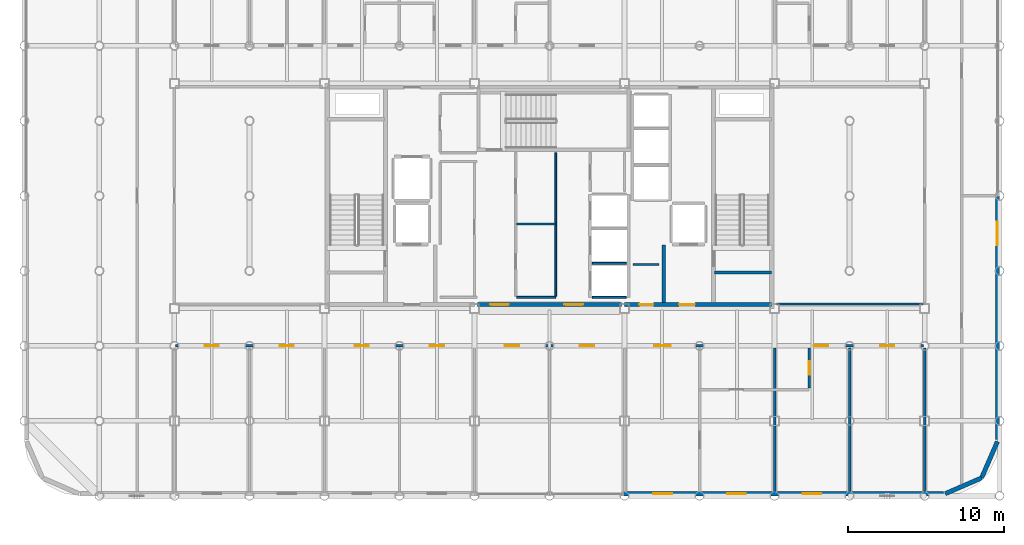
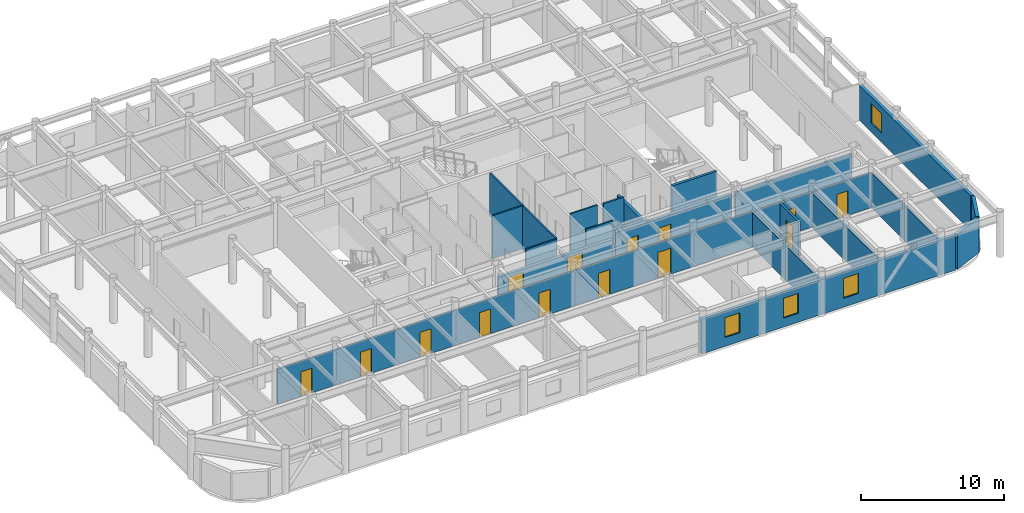
# One storey, part 19 of 22: 20 walls, 14 doors, 4 windows, 18 openings.
"""IFC4 building model written with IfcOpenShell, lengths in metres."""

import ifcopenshell
import ifcopenshell.guid

model = None  # the IFC model being written
_history = None  # IfcOwnerHistory: only IFC2X3 demands one
_inside = {}  # id of a spatial element -> (the spatial element, [elements in it])
_under = {}  # id of a project, library or spatial element -> (it, [spatial elements below it])
_declared = {}  # id of a project -> (the project, [libraries it declares])
_typed = {}  # id of a type object -> (the type object, [elements of that type])
_made_of = {}  # id of a material, layer set ... -> (it, [elements and type objects made of it])


def new_model(schema):
    """Start an empty IFC model of exactly this schema.

    Asked for "IFC4X3", IfcOpenShell would pick the latest addendum, in which some entities
    have other attributes; the version numbers below select the first issue.
    IFC2X3 requires an IfcOwnerHistory on every rooted entity: one is made here for all.
    """
    global model, _history
    if schema == "IFC4X3":
        model = ifcopenshell.file(schema_version=(4, 3, 0, 0))
    else:
        model = ifcopenshell.file(schema=schema)
    _inside.clear()
    _under.clear()
    _declared.clear()
    _typed.clear()
    _made_of.clear()
    _history = None
    if model.schema == "IFC2X3":
        org = make("IfcOrganization", Name="unknown")
        user = make(
            "IfcPersonAndOrganization",
            ThePerson=make("IfcPerson", FamilyName="unknown"),
            TheOrganization=org,
        )
        app = make(
            "IfcApplication",
            ApplicationDeveloper=org,
            Version="unknown",
            ApplicationFullName="unknown",
            ApplicationIdentifier="unknown",
        )
        _history = make(
            "IfcOwnerHistory",
            OwningUser=user,
            OwningApplication=app,
            ChangeAction="ADDED",
            CreationDate=0,
        )
    return model


def make(cls, **values):
    """One entity of the class cls with the attributes given. An attribute that is None is left unset."""
    return model.create_entity(
        cls, **{name: value for name, value in values.items() if value is not None}
    )


def rooted(cls, **values):
    """An entity with a GlobalId (a new one), such as an element, a storey or a relation."""
    return make(cls, GlobalId=ifcopenshell.guid.new(), OwnerHistory=_history, **values)


def si_unit(unit_type, name, prefix=None):
    """IfcSIUnit, for example si_unit("LENGTHUNIT", "METRE", prefix="MILLI")."""
    return make("IfcSIUnit", UnitType=unit_type, Prefix=prefix, Name=name)


def assignment(units):
    """IfcUnitAssignment: the units of a project."""
    return None if units is None else make("IfcUnitAssignment", Units=units)


def point(xyz):
    """IfcCartesianPoint."""
    return None if xyz is None else make("IfcCartesianPoint", Coordinates=xyz)


def direction(xyz):
    """IfcDirection."""
    return None if xyz is None else make("IfcDirection", DirectionRatios=xyz)


def frame(location, z_axis=None, x_axis=None):
    """IfcAxis2Placement3D, a coordinate frame: its origin and axes. An axis left out is left unset."""
    return make(
        "IfcAxis2Placement3D",
        Location=point(location),
        Axis=direction(z_axis),
        RefDirection=direction(x_axis),
    )


def frame_2d(location, x_axis=None):
    """IfcAxis2Placement2D, a coordinate frame in the plane: its origin and x axis."""
    return make(
        "IfcAxis2Placement2D", Location=point(location), RefDirection=direction(x_axis)
    )


def origin():
    """The frame at (0, 0, 0) with its axes left unset."""
    return frame((0.0, 0.0, 0.0))


def place(relative_to, where):
    """IfcLocalPlacement: puts the frame where relative to a parent placement (None: the world)."""
    return make(
        "IfcLocalPlacement", PlacementRelTo=relative_to, RelativePlacement=where
    )


def context(
    kind, dimensions, precision=None, world=None, true_north=None, identifier=None
):
    """IfcGeometricRepresentationContext, for example the 3D "Model" context."""
    return make(
        "IfcGeometricRepresentationContext",
        ContextIdentifier=identifier,
        ContextType=kind,
        CoordinateSpaceDimension=dimensions,
        Precision=precision,
        WorldCoordinateSystem=world,
        TrueNorth=true_north,
    )


def subcontext(parent, identifier, kind, view, scale=None):
    """IfcGeometricRepresentationSubContext, for example "Body" below "Model"."""
    return make(
        "IfcGeometricRepresentationSubContext",
        ContextIdentifier=identifier,
        ContextType=kind,
        ParentContext=parent,
        TargetScale=scale,
        TargetView=view,
    )


def project(units=None, contexts=None):
    """IfcProject with its units and contexts."""
    return rooted(
        "IfcProject",
        Name="project",
        RepresentationContexts=contexts,
        UnitsInContext=assignment(units),
    )


def spatial(cls, under=None, at=None, **own):
    """A site, building, storey or space (cls), placed at a placement, below another one or the project."""
    s = rooted(cls, ObjectPlacement=at, **own)
    if under is not None:
        _under.setdefault(under.id(), (under, []))[1].append(s)
    return s


def profile(cls, at=None, kind="AREA", **sizes):
    """A parametric profile (cls). Its sizes go by their IFC names, for example OverallWidth=200.0."""
    return make(cls, ProfileType=kind, Position=at, **sizes)


def rectangle(**sizes):
    """IfcRectangleProfileDef."""
    return profile("IfcRectangleProfileDef", **sizes)


def extrude(swept, where, along, depth):
    """IfcExtrudedAreaSolid: the profile swept, set in the frame where, extruded along a direction by depth."""
    return make(
        "IfcExtrudedAreaSolid",
        SweptArea=swept,
        Position=where,
        ExtrudedDirection=direction(along),
        Depth=depth,
    )


def shape(context_of_items, identifier, shape_type, items):
    """IfcShapeRepresentation: the items that make up one representation, for example the "Body"."""
    return make(
        "IfcShapeRepresentation",
        ContextOfItems=context_of_items,
        RepresentationIdentifier=identifier,
        RepresentationType=shape_type,
        Items=items,
    )


def material(Name=None, Category=None):
    """IfcMaterial."""
    return make("IfcMaterial", Name=Name, Category=Category)


def layer(
    of_material, thickness, ventilated=None, Name=None, Category=None, Priority=None
):
    """IfcMaterialLayer: one layer of a wall or slab, of a material (None: an air gap)."""
    return make(
        "IfcMaterialLayer",
        Material=of_material,
        LayerThickness=thickness,
        IsVentilated=ventilated,
        Name=Name,
        Category=Category,
        Priority=Priority,
    )


def layer_set(layers, Name=None):
    """IfcMaterialLayerSet."""
    return make("IfcMaterialLayerSet", MaterialLayers=layers, LayerSetName=Name)


def made_of(thing, what):
    """Note that an element or type object is made of a material, layer set ...; save() writes the relation."""
    if what is not None:
        _made_of.setdefault(what.id(), (what, []))[1].append(thing)
    return thing


def type_object(cls, material=None, **own):
    """A type object (cls), such as IfcWallType, which elements share."""
    return made_of(rooted(cls, **own), material)


def element(
    cls,
    number,
    at=None,
    inside=None,
    cuts=None,
    type_object=None,
    material=None,
    context=None,
    identifier="Body",
    shape_type=None,
    held_by="IfcProductDefinitionShape",
    body=None,
    shapes=None,
    **own,
):
    """One element of the class cls, such as IfcWall. Its Tag is "e" and its number.

    at: its placement. inside: the storey or other place that contains it. cuts: it is an
    opening in that element (IfcRelVoidsElement). A single representation is given by context,
    identifier, shape_type and body (its items); several are given by shapes. held_by: the class
    of the entity that holds the representations. save() writes the other relations.
    """
    e = rooted(cls, Tag="e%d" % number, ObjectPlacement=at, **own)
    if body is not None:
        shapes = [shape(context, identifier, shape_type, body)]
    if shapes is not None:
        e.Representation = make(held_by, Representations=shapes)
    if inside is not None:
        _inside.setdefault(inside.id(), (inside, []))[1].append(e)
    if cuts is not None:
        rooted(
            "IfcRelVoidsElement", RelatingBuildingElement=cuts, RelatedOpeningElement=e
        )
    if type_object is not None:
        _typed.setdefault(type_object.id(), (type_object, []))[1].append(e)
    return made_of(e, material)


def fill(opening, filler):
    """IfcRelFillsElement: the door or window that sits in an opening."""
    return rooted(
        "IfcRelFillsElement",
        RelatingOpeningElement=opening,
        RelatedBuildingElement=filler,
    )


def aggregate(whole, parts):
    """IfcRelAggregates: a whole, such as a stair, and the parts it consists of."""
    return rooted("IfcRelAggregates", RelatingObject=whole, RelatedObjects=parts)


def save(model, path):
    """Write the relations noted so far, then the file.

    IfcRelAggregates (storeys below a building ...), IfcRelContainedInSpatialStructure (elements
    in a storey), IfcRelDefinesByType, IfcRelAssociatesMaterial and IfcRelDeclares: one each for
    every whole, place, type object, material and project.
    """
    for whole, parts in _under.values():
        aggregate(whole, parts)
    for where, things in _inside.values():
        rooted(
            "IfcRelContainedInSpatialStructure",
            RelatedElements=things,
            RelatingStructure=where,
        )
    for kind, things in _typed.values():
        rooted("IfcRelDefinesByType", RelatedObjects=things, RelatingType=kind)
    for what, things in _made_of.values():
        rooted("IfcRelAssociatesMaterial", RelatedObjects=things, RelatingMaterial=what)
    for by, libraries in _declared.values():
        rooted("IfcRelDeclares", RelatingContext=by, RelatedDefinitions=libraries)
    model.write(path)


model = new_model("IFC4")

# Units and contexts
model_context = context("Model", 3, precision=1e-05, world=origin(), true_north=direction((0.0, 1.0)))
body_context = subcontext(model_context, "Body", "Model", "MODEL_VIEW")
ifc_project = project(units=[si_unit("LENGTHUNIT", "METRE"), si_unit("AREAUNIT", "SQUARE_METRE"), si_unit("VOLUMEUNIT", "CUBIC_METRE"), si_unit("PLANEANGLEUNIT", "RADIAN"), si_unit("MASSUNIT", "GRAM", prefix="KILO")], contexts=[model_context])

# Site, building, storey
site_placement = place(None, origin())
site = spatial("IfcSite", under=ifc_project, at=site_placement, CompositionType="ELEMENT")
building_placement = place(site_placement, origin())
building = spatial("IfcBuilding", under=site, at=building_placement, Name="Kallvorn Hotel Tower", CompositionType="ELEMENT")
storey_placement = place(building_placement, frame((0.0, 0.0, 256.949951171875)))
storey = spatial("IfcBuildingStorey", under=building, at=storey_placement, Name="L64", CompositionType="ELEMENT", Elevation=256.949951171875)

# Wall, openings, doors
ifc_material_1 = material(Name="Fire-rated double-layer acoustic gypsum drywall EI 60")
ifc_layer_1 = layer(ifc_material_1, 0.159912109375)
ifc_layer_set_1 = layer_set([ifc_layer_1], Name="WL_DEMISE_160")
wall_type_1 = type_object("IfcWallType", Name="WL_DEMISE_160", PredefinedType="PARTITIONING", material=ifc_layer_set_1)
wall_1_placement = place(storey_placement, frame((-23.919921875, -9.60009765625, 0.0), z_axis=(0.0, 0.0, 1.0), x_axis=(1.0, 0.0, 0.0)))
wall_1 = element("IfcWall", 1, at=wall_1_placement, inside=storey, type_object=wall_type_1, Name="L64 Suite 6401 Executive Living Salon Partition", PredefinedType="PARTITIONING", context=body_context, shape_type="SweptSolid", body=[
    extrude(rectangle(XDim=47.83984375, YDim=0.159912109375, at=frame_2d((23.919921875, 0.0))), origin(), (0.0, 0.0, 1.0), 2.969970703125),
])
opening_1_placement = place(wall_1_placement, frame((1.8701171875, 0.0, 0.0)))
opening_1 = element("IfcOpeningElement", 2, at=opening_1_placement, cuts=wall_1, Name="Opening SVD1", PredefinedType="OPENING", context=body_context, shape_type="SweptSolid", body=[
    extrude(rectangle(XDim=0.89990234375, YDim=2.10009765625, at=frame_2d((0.449951171875, 1.050048828125))), frame((0.0, 0.094970703125, 0.0), z_axis=(0.0, -1.0, 0.0), x_axis=(1.0, 0.0, 0.0)), (0.0, 0.0, 1.0), 0.18994140625),
])
opening_2_placement = place(wall_1_placement, frame((45.070068359375, 0.0, 0.0)))
opening_2 = element("IfcOpeningElement", 3, at=opening_2_placement, cuts=wall_1, Name="Opening SVD1", PredefinedType="OPENING", context=body_context, shape_type="SweptSolid", body=[
    extrude(rectangle(XDim=0.89990234375, YDim=2.10009765625, at=frame_2d((0.449951171875, 1.050048828125))), frame((0.0, 0.094970703125, 0.0), z_axis=(0.0, -1.0, 0.0), x_axis=(1.0, 0.0, 0.0)), (0.0, 0.0, 1.0), 0.18994140625),
])
opening_3_placement = place(wall_1_placement, frame((6.669921875, 0.0, 0.0)))
opening_3 = element("IfcOpeningElement", 4, at=opening_3_placement, cuts=wall_1, Name="Opening SVD1", PredefinedType="OPENING", context=body_context, shape_type="SweptSolid", body=[
    extrude(rectangle(XDim=0.89990234375, YDim=2.10009765625, at=frame_2d((0.449951171875, 1.050048828125))), frame((0.0, 0.094970703125, 0.0), z_axis=(0.0, -1.0, 0.0), x_axis=(1.0, 0.0, 0.0)), (0.0, 0.0, 1.0), 0.18994140625),
])
opening_4_placement = place(wall_1_placement, frame((11.469970703125, 0.0, 0.0)))
opening_4 = element("IfcOpeningElement", 5, at=opening_4_placement, cuts=wall_1, Name="Opening SVD1", PredefinedType="OPENING", context=body_context, shape_type="SweptSolid", body=[
    extrude(rectangle(XDim=0.89990234375, YDim=2.10009765625, at=frame_2d((0.449951171875, 1.050048828125))), frame((0.0, 0.094970703125, 0.0), z_axis=(0.0, -1.0, 0.0), x_axis=(1.0, 0.0, 0.0)), (0.0, 0.0, 1.0), 0.18994140625),
])
opening_5_placement = place(wall_1_placement, frame((16.27001953125, 0.0, 0.0)))
opening_5 = element("IfcOpeningElement", 6, at=opening_5_placement, cuts=wall_1, Name="Opening SVD1", PredefinedType="OPENING", context=body_context, shape_type="SweptSolid", body=[
    extrude(rectangle(XDim=0.89990234375, YDim=2.10009765625, at=frame_2d((0.449951171875, 1.050048828125))), frame((0.0, 0.094970703125, 0.0), z_axis=(0.0, -1.0, 0.0), x_axis=(1.0, 0.0, 0.0)), (0.0, 0.0, 1.0), 0.18994140625),
])
opening_6_placement = place(wall_1_placement, frame((21.070068359375, 0.0, 0.0)))
opening_6 = element("IfcOpeningElement", 7, at=opening_6_placement, cuts=wall_1, Name="Opening SVD1", PredefinedType="OPENING", context=body_context, shape_type="SweptSolid", body=[
    extrude(rectangle(XDim=0.89990234375, YDim=2.10009765625, at=frame_2d((0.449951171875, 1.050048828125))), frame((0.0, 0.094970703125, 0.0), z_axis=(0.0, -1.0, 0.0), x_axis=(1.0, 0.0, 0.0)), (0.0, 0.0, 1.0), 0.18994140625),
])
opening_7_placement = place(wall_1_placement, frame((25.8701171875, 0.0, 0.0)))
opening_7 = element("IfcOpeningElement", 8, at=opening_7_placement, cuts=wall_1, Name="Opening SVD1", PredefinedType="OPENING", context=body_context, shape_type="SweptSolid", body=[
    extrude(rectangle(XDim=0.89990234375, YDim=2.10009765625, at=frame_2d((0.449951171875, 1.050048828125))), frame((0.0, 0.094970703125, 0.0), z_axis=(0.0, -1.0, 0.0), x_axis=(1.0, 0.0, 0.0)), (0.0, 0.0, 1.0), 0.18994140625),
])
opening_8_placement = place(wall_1_placement, frame((30.635009765625, 0.0, 0.0)))
opening_8 = element("IfcOpeningElement", 9, at=opening_8_placement, cuts=wall_1, Name="Opening GD2", PredefinedType="OPENING", context=body_context, shape_type="SweptSolid", body=[
    extrude(rectangle(XDim=1.050048828125, YDim=2.199951171875, at=frame_2d((0.52490234375, 1.10009765625))), frame((0.0, 0.094970703125, 0.0), z_axis=(0.0, -1.0, 0.0), x_axis=(1.0, 0.0, 0.0)), (0.0, 0.0, 1.0), 0.18994140625),
])
opening_9_placement = place(wall_1_placement, frame((40.830078125, 0.0, 0.0)))
opening_9 = element("IfcOpeningElement", 10, at=opening_9_placement, cuts=wall_1, Name="Opening GD1", PredefinedType="OPENING", context=body_context, shape_type="SweptSolid", body=[
    extrude(rectangle(XDim=0.919921875, YDim=2.14990234375, at=frame_2d((0.4599609375, 1.074951171875))), frame((0.0, 0.094970703125, 0.0), z_axis=(0.0, -1.0, 0.0), x_axis=(1.0, 0.0, 0.0)), (0.0, 0.0, 1.0), 0.18994140625),
])
ifc_material_2 = material(Name="Solid-core walnut veneer fire-rated timber door leaf", Category="wood")
door_type_1 = type_object("IfcDoorType", Name="DR_GUEST_920x2150", OperationType="NOTDEFINED", PredefinedType="DOOR", material=ifc_material_2)
door_1_placement = place(opening_9_placement, origin())
door_1 = element("IfcDoor", 11, at=door_1_placement, inside=storey, type_object=door_type_1, Name="L64 Suite 6402 Superior Twin Room Door", OperationType="SINGLE_SWING_LEFT", OverallHeight=2.14990234375, OverallWidth=0.919921875, PredefinedType="DOOR", context=body_context, shape_type="SweptSolid", body=[
    extrude(rectangle(XDim=0.919921875, YDim=2.14990234375, at=frame_2d((0.4599609375, 1.074951171875))), frame((0.0, 0.02490234375, 0.0), z_axis=(0.0, -1.0, 0.0), x_axis=(1.0, 0.0, 0.0)), (0.0, 0.0, 1.0), 0.050048828125),
])
fill(opening_9, door_1)
ifc_material_3 = material(Name="Galvanised painted steel fire-rated door assembly", Category="steel")
door_type_2 = type_object("IfcDoorType", Name="DR_SERV_900x2100", OperationType="NOTDEFINED", PredefinedType="DOOR", material=ifc_material_3)
door_2_placement = place(opening_1_placement, origin())
door_2 = element("IfcDoor", 12, at=door_2_placement, inside=storey, type_object=door_type_2, Name="L64 L64 High-Zone South-West Tea Bar Door", OperationType="SINGLE_SWING_RIGHT", OverallHeight=2.10009765625, OverallWidth=0.89990234375, PredefinedType="DOOR", context=body_context, shape_type="SweptSolid", body=[
    extrude(rectangle(XDim=0.89990234375, YDim=2.10009765625, at=frame_2d((0.449951171875, 1.050048828125))), frame((0.0, 0.02490234375, 0.0), z_axis=(0.0, -1.0, 0.0), x_axis=(1.0, 0.0, 0.0)), (0.0, 0.0, 1.0), 0.050048828125),
])
fill(opening_1, door_2)
door_3_placement = place(opening_2_placement, origin())
door_3 = element("IfcDoor", 13, at=door_3_placement, inside=storey, type_object=door_type_2, Name="L64 L64 High-Zone South-East Wine Bar Door", OperationType="SINGLE_SWING_RIGHT", OverallHeight=2.10009765625, OverallWidth=0.89990234375, PredefinedType="DOOR", context=body_context, shape_type="SweptSolid", body=[
    extrude(rectangle(XDim=0.89990234375, YDim=2.10009765625, at=frame_2d((0.449951171875, 1.050048828125))), frame((0.0, 0.02490234375, 0.0), z_axis=(0.0, -1.0, 0.0), x_axis=(1.0, 0.0, 0.0)), (0.0, 0.0, 1.0), 0.050048828125),
])
fill(opening_2, door_3)
door_4_placement = place(opening_3_placement, origin())
door_4 = element("IfcDoor", 14, at=door_4_placement, inside=storey, type_object=door_type_2, Name="L64 L64 Executive Co-Working Open-Plan Office 1-1 Door", OperationType="SINGLE_SWING_LEFT", OverallHeight=2.10009765625, OverallWidth=0.89990234375, PredefinedType="DOOR", context=body_context, shape_type="SweptSolid", body=[
    extrude(rectangle(XDim=0.89990234375, YDim=2.10009765625, at=frame_2d((0.449951171875, 1.050048828125))), frame((0.0, 0.02490234375, 0.0), z_axis=(0.0, -1.0, 0.0), x_axis=(1.0, 0.0, 0.0)), (0.0, 0.0, 1.0), 0.050048828125),
])
fill(opening_3, door_4)
door_5_placement = place(opening_4_placement, origin())
door_5 = element("IfcDoor", 15, at=door_5_placement, inside=storey, type_object=door_type_2, Name="L64 L64 Executive Co-Working Open-Plan Office 1-2 Door", OperationType="SINGLE_SWING_RIGHT", OverallHeight=2.10009765625, OverallWidth=0.89990234375, PredefinedType="DOOR", context=body_context, shape_type="SweptSolid", body=[
    extrude(rectangle(XDim=0.89990234375, YDim=2.10009765625, at=frame_2d((0.449951171875, 1.050048828125))), frame((0.0, 0.02490234375, 0.0), z_axis=(0.0, -1.0, 0.0), x_axis=(1.0, 0.0, 0.0)), (0.0, 0.0, 1.0), 0.050048828125),
])
fill(opening_4, door_5)
door_6_placement = place(opening_5_placement, origin())
door_6 = element("IfcDoor", 16, at=door_6_placement, inside=storey, type_object=door_type_2, Name="L64 L64 Executive Co-Working Open-Plan Office 1-3 Door", OperationType="SINGLE_SWING_LEFT", OverallHeight=2.10009765625, OverallWidth=0.89990234375, PredefinedType="DOOR", context=body_context, shape_type="SweptSolid", body=[
    extrude(rectangle(XDim=0.89990234375, YDim=2.10009765625, at=frame_2d((0.449951171875, 1.050048828125))), frame((0.0, 0.02490234375, 0.0), z_axis=(0.0, -1.0, 0.0), x_axis=(1.0, 0.0, 0.0)), (0.0, 0.0, 1.0), 0.050048828125),
])
fill(opening_5, door_6)
door_7_placement = place(opening_6_placement, origin())
door_7 = element("IfcDoor", 17, at=door_7_placement, inside=storey, type_object=door_type_2, Name="L64 L64 Diplomatic Summit Conference Boardroom 2-1 Door", OperationType="SINGLE_SWING_LEFT", OverallHeight=2.10009765625, OverallWidth=0.89990234375, PredefinedType="DOOR", context=body_context, shape_type="SweptSolid", body=[
    extrude(rectangle(XDim=0.89990234375, YDim=2.10009765625, at=frame_2d((0.449951171875, 1.050048828125))), frame((0.0, 0.02490234375, 0.0), z_axis=(0.0, -1.0, 0.0), x_axis=(1.0, 0.0, 0.0)), (0.0, 0.0, 1.0), 0.050048828125),
])
fill(opening_6, door_7)
door_8_placement = place(opening_7_placement, origin())
door_8 = element("IfcDoor", 18, at=door_8_placement, inside=storey, type_object=door_type_2, Name="L64 L64 Diplomatic Summit Conference Boardroom 2-2 Door", OperationType="SINGLE_SWING_RIGHT", OverallHeight=2.10009765625, OverallWidth=0.89990234375, PredefinedType="DOOR", context=body_context, shape_type="SweptSolid", body=[
    extrude(rectangle(XDim=0.89990234375, YDim=2.10009765625, at=frame_2d((0.449951171875, 1.050048828125))), frame((0.0, 0.02490234375, 0.0), z_axis=(0.0, -1.0, 0.0), x_axis=(1.0, 0.0, 0.0)), (0.0, 0.0, 1.0), 0.050048828125),
])
fill(opening_7, door_8)
ifc_material_4 = material(Name="Solid-core walnut veneer fire-rated timber door leaf", Category="wood")
door_type_3 = type_object("IfcDoorType", Name="DR_SUITE_1050x2200", OperationType="NOTDEFINED", PredefinedType="DOOR", material=ifc_material_4)
door_9_placement = place(opening_8_placement, origin())
door_9 = element("IfcDoor", 19, at=door_9_placement, inside=storey, type_object=door_type_3, Name="L64 Suite 6401 Executive Living Salon Door", OperationType="SINGLE_SWING_LEFT", OverallHeight=2.199951171875, OverallWidth=1.050048828125, PredefinedType="DOOR", context=body_context, shape_type="SweptSolid", body=[
    extrude(rectangle(XDim=1.050048828125, YDim=2.199951171875, at=frame_2d((0.52490234375, 1.10009765625))), frame((0.0, 0.02490234375, 0.0), z_axis=(0.0, -1.0, 0.0), x_axis=(1.0, 0.0, 0.0)), (0.0, 0.0, 1.0), 0.050048828125),
])
fill(opening_8, door_9)

# Wall
wall_2_placement = place(storey_placement, frame((14.39990234375, -18.909912109375, 0.0), z_axis=(0.0, 0.0, 1.0), x_axis=(0.0, 1.0, 0.0)))
element("IfcWall", 20, at=wall_2_placement, inside=storey, type_object=wall_type_1, Name="L64 Suite 6401 Executive Bedroom Partition", PredefinedType="PARTITIONING", context=body_context, shape_type="SweptSolid", body=[
    extrude(rectangle(XDim=9.18994140625, YDim=0.159912109375, at=frame_2d((4.594970703125, 0.0))), origin(), (0.0, 0.0, 1.0), 2.969970703125),
])

# Wall, opening, door
wall_3_placement = place(storey_placement, frame((16.610107421875, -12.31005859375, 0.0), z_axis=(0.0, 0.0, 1.0), x_axis=(0.0, 1.0, 0.0)))
wall_3 = element("IfcWall", 21, at=wall_3_placement, inside=storey, type_object=wall_type_1, Name="L64 Suite 6402 Superior Twin Room Partition", PredefinedType="PARTITIONING", context=body_context, shape_type="SweptSolid", body=[
    extrude(rectangle(XDim=2.590087890625, YDim=0.159912109375, at=frame_2d((1.294921875, 0.0))), origin(), (0.0, 0.0, 1.0), 2.969970703125),
])
opening_10_placement = place(wall_3_placement, frame((0.860107421875, 0.0, 0.0)))
opening_10 = element("IfcOpeningElement", 22, at=opening_10_placement, cuts=wall_3, Name="Opening BD-I", PredefinedType="OPENING", context=body_context, shape_type="SweptSolid", body=[
    extrude(rectangle(XDim=0.860107421875, YDim=2.10009765625, at=frame_2d((0.43017578125, 1.050048828125))), frame((0.0, 0.094970703125, 0.0), z_axis=(0.0, -1.0, 0.0), x_axis=(1.0, 0.0, 0.0)), (0.0, 0.0, 1.0), 0.18994140625),
])
ifc_material_5 = material(Name="Solid-core walnut veneer fire-rated timber door leaf", Category="wood")
door_type_4 = type_object("IfcDoorType", Name="DR_BATH_860x2100", OperationType="NOTDEFINED", PredefinedType="DOOR", material=ifc_material_5)
door_10_placement = place(opening_10_placement, origin())
door_10 = element("IfcDoor", 23, at=door_10_placement, inside=storey, type_object=door_type_4, Name="L64 Suite 6402 En-Suite Bathroom Door", OperationType="SINGLE_SWING_RIGHT", OverallHeight=2.10009765625, OverallWidth=0.860107421875, PredefinedType="DOOR", context=body_context, shape_type="SweptSolid", body=[
    extrude(rectangle(XDim=0.860107421875, YDim=2.10009765625, at=frame_2d((0.43017578125, 1.050048828125))), frame((0.0, 0.02490234375, 0.0), z_axis=(0.0, -1.0, 0.0), x_axis=(1.0, 0.0, 0.0)), (0.0, 0.0, 1.0), 0.050048828125),
])
fill(opening_10, door_10)

# Walls
wall_4_placement = place(storey_placement, frame((19.199951171875, -18.909912109375, 0.0), z_axis=(0.0, 0.0, 1.0), x_axis=(0.0, 1.0, 0.0)))
element("IfcWall", 24, at=wall_4_placement, inside=storey, type_object=wall_type_1, Name="L64 Suite 6402 Superior Twin Room Partition", PredefinedType="PARTITIONING", context=body_context, shape_type="SweptSolid", body=[
    extrude(rectangle(XDim=9.18994140625, YDim=0.159912109375, at=frame_2d((4.594970703125, 0.0))), origin(), (0.0, 0.0, 1.0), 2.969970703125),
])
ifc_material_6 = material(Name="Precast basalt-clad insulated concrete wall C40/50", Category="masonry")
ifc_layer_2 = layer(ifc_material_6, 0.280029296875)
ifc_layer_set_2 = layer_set([ifc_layer_2], Name="WL_EXT_LOGGIA_280")
wall_type_2 = type_object("IfcWallType", Name="WL_EXT_LOGGIA_280", PredefinedType="SOLIDWALL", material=ifc_layer_set_2)
wall_5_placement = place(storey_placement, frame((25.32080078125, -19.057861328125, 0.0), z_axis=(0.0, 0.0, 1.0), x_axis=(0.917060872934, 0.398747232384, 0.0)))
element("IfcWall", 25, at=wall_5_placement, inside=storey, type_object=wall_type_2, Name="L64 Rounded Corner Exterior Wall SE1", PredefinedType="SOLIDWALL", context=body_context, shape_type="SweptSolid", body=[
    extrude(rectangle(XDim=2.5361328125, YDim=0.280029296875, at=frame_2d((1.26806640625, 0.0))), origin(), (0.0, 0.0, 1.0), 2.969970703125),
])
wall_6_placement = place(storey_placement, frame((27.646484375, -18.046630859375, 0.0), z_axis=(0.0, 0.0, 1.0), x_axis=(0.398792985289, 0.917040977756, 0.0)))
element("IfcWall", 26, at=wall_6_placement, inside=storey, type_object=wall_type_2, Name="L64 Rounded Corner Exterior Wall SE2", PredefinedType="SOLIDWALL", context=body_context, shape_type="SweptSolid", body=[
    extrude(rectangle(XDim=2.536376953125, YDim=0.280029296875, at=frame_2d((1.26806640625, 0.0))), origin(), (0.0, 0.0, 1.0), 3.02001953125),
])

# Wall, openings, windows
wall_7_placement = place(storey_placement, frame((4.75, -19.06005859375, 0.0), z_axis=(0.0, 0.0, 1.0), x_axis=(1.0, 0.0, 0.0)))
wall_7 = element("IfcWall", 27, at=wall_7_placement, inside=storey, type_object=wall_type_2, Name="L64 Exterior Envelope Wall EW-L64-SE", PredefinedType="SOLIDWALL", context=body_context, shape_type="SweptSolid", body=[
    extrude(rectangle(XDim=20.449951171875, YDim=0.280029296875, at=frame_2d((10.22509765625, 0.0))), origin(), (0.0, 0.0, 1.0), 2.969970703125),
])
opening_11_placement = place(wall_7_placement, frame((1.889892578125, 0.0, 0.75)))
opening_11 = element("IfcOpeningElement", 28, at=opening_11_placement, cuts=wall_7, Name="Opening W06", PredefinedType="OPENING", context=body_context, shape_type="SweptSolid", body=[
    extrude(rectangle(XDim=1.199951171875, YDim=1.699951171875, at=frame_2d((0.60009765625, 0.85009765625))), frame((0.0, 0.155029296875, 0.0), z_axis=(0.0, -1.0, 0.0), x_axis=(1.0, 0.0, 0.0)), (0.0, 0.0, 1.0), 0.31005859375),
])
opening_12_placement = place(wall_7_placement, frame((6.610107421875, 0.0, 0.75)))
opening_12 = element("IfcOpeningElement", 29, at=opening_12_placement, cuts=wall_7, Name="Opening W06", PredefinedType="OPENING", context=body_context, shape_type="SweptSolid", body=[
    extrude(rectangle(XDim=1.199951171875, YDim=1.699951171875, at=frame_2d((0.60009765625, 0.85009765625))), frame((0.0, 0.155029296875, 0.0), z_axis=(0.0, -1.0, 0.0), x_axis=(1.0, 0.0, 0.0)), (0.0, 0.0, 1.0), 0.31005859375),
])
opening_13_placement = place(wall_7_placement, frame((11.449951171875, 0.0, 0.75)))
opening_13 = element("IfcOpeningElement", 30, at=opening_13_placement, cuts=wall_7, Name="Opening W06", PredefinedType="OPENING", context=body_context, shape_type="SweptSolid", body=[
    extrude(rectangle(XDim=1.199951171875, YDim=1.699951171875, at=frame_2d((0.60009765625, 0.85009765625))), frame((0.0, 0.155029296875, 0.0), z_axis=(0.0, -1.0, 0.0), x_axis=(1.0, 0.0, 0.0)), (0.0, 0.0, 1.0), 0.31005859375),
])
ifc_material_7 = material(Name="Triple-glazed low-e acoustic solar-control dark glass", Category="glass")
window_type_1 = type_object("IfcWindowType", Name="WN_HTL_1200x1700", PartitioningType="SINGLE_PANEL", PredefinedType="WINDOW", material=ifc_material_7)
window_1_placement = place(opening_11_placement, origin())
window_1 = element("IfcWindow", 31, at=window_1_placement, inside=storey, type_object=window_type_1, Name="L64 Guestroom Exterior Window 07", OverallHeight=1.699951171875, OverallWidth=1.199951171875, PartitioningType="SINGLE_PANEL", PredefinedType="WINDOW", context=body_context, shape_type="SweptSolid", body=[
    extrude(rectangle(XDim=1.199951171875, YDim=1.699951171875, at=frame_2d((0.60009765625, 0.85009765625))), frame((0.0, 0.030029296875, 0.0), z_axis=(0.0, -1.0, 0.0), x_axis=(1.0, 0.0, 0.0)), (0.0, 0.0, 1.0), 0.06005859375),
])
fill(opening_11, window_1)
window_2_placement = place(opening_12_placement, origin())
window_2 = element("IfcWindow", 32, at=window_2_placement, inside=storey, type_object=window_type_1, Name="L64 Guestroom Exterior Window 08", OverallHeight=1.699951171875, OverallWidth=1.199951171875, PartitioningType="SINGLE_PANEL", PredefinedType="WINDOW", context=body_context, shape_type="SweptSolid", body=[
    extrude(rectangle(XDim=1.199951171875, YDim=1.699951171875, at=frame_2d((0.60009765625, 0.85009765625))), frame((0.0, 0.030029296875, 0.0), z_axis=(0.0, -1.0, 0.0), x_axis=(1.0, 0.0, 0.0)), (0.0, 0.0, 1.0), 0.06005859375),
])
fill(opening_12, window_2)
window_3_placement = place(opening_13_placement, origin())
window_3 = element("IfcWindow", 33, at=window_3_placement, inside=storey, type_object=window_type_1, Name="L64 Guestroom Exterior Window 09", OverallHeight=1.699951171875, OverallWidth=1.199951171875, PartitioningType="SINGLE_PANEL", PredefinedType="WINDOW", context=body_context, shape_type="SweptSolid", body=[
    extrude(rectangle(XDim=1.199951171875, YDim=1.699951171875, at=frame_2d((0.60009765625, 0.85009765625))), frame((0.0, 0.030029296875, 0.0), z_axis=(0.0, -1.0, 0.0), x_axis=(1.0, 0.0, 0.0)), (0.0, 0.0, 1.0), 0.06005859375),
])
fill(opening_13, window_3)

# Wall, opening, window
wall_8_placement = place(storey_placement, frame((28.659912109375, -15.60009765625, 0.0), z_axis=(0.0, 0.0, 1.0), x_axis=(0.0, 1.0, 0.0)))
wall_8 = element("IfcWall", 34, at=wall_8_placement, inside=storey, type_object=wall_type_2, Name="L64 Exterior Envelope Wall EW-L64-ES", PredefinedType="SOLIDWALL", context=body_context, shape_type="SweptSolid", body=[
    extrude(rectangle(XDim=15.580078125, YDim=0.280029296875, at=frame_2d((7.7900390625, 0.0))), origin(), (0.0, 0.0, 1.0), 2.969970703125),
])
opening_14_placement = place(wall_8_placement, frame((12.449951171875, 0.0, 0.75)))
opening_14 = element("IfcOpeningElement", 35, at=opening_14_placement, cuts=wall_8, Name="Opening W05", PredefinedType="OPENING", context=body_context, shape_type="SweptSolid", body=[
    extrude(rectangle(XDim=1.5, YDim=1.699951171875, at=frame_2d((0.75, 0.85009765625))), frame((0.0, 0.155029296875, 0.0), z_axis=(0.0, -1.0, 0.0), x_axis=(1.0, 0.0, 0.0)), (0.0, 0.0, 1.0), 0.31005859375),
])
ifc_material_8 = material(Name="Double-glazed low-e solar-control dark glass", Category="glass")
window_type_2 = type_object("IfcWindowType", Name="WN_HTL_1500x1700", PartitioningType="SINGLE_PANEL", PredefinedType="WINDOW", material=ifc_material_8)
window_4_placement = place(opening_14_placement, origin())
window_4 = element("IfcWindow", 36, at=window_4_placement, inside=storey, type_object=window_type_2, Name="L64 Flank Wing Window 03", OverallHeight=1.699951171875, OverallWidth=1.5, PartitioningType="SINGLE_PANEL", PredefinedType="WINDOW", context=body_context, shape_type="SweptSolid", body=[
    extrude(rectangle(XDim=1.5, YDim=1.699951171875, at=frame_2d((0.75, 0.85009765625))), frame((0.0, 0.030029296875, 0.0), z_axis=(0.0, -1.0, 0.0), x_axis=(1.0, 0.0, 0.0)), (0.0, 0.0, 1.0), 0.06005859375),
])
fill(opening_14, window_4)

# Walls
ifc_material_9 = material(Name="Concrete C40/50", Category="concrete")
ifc_layer_3 = layer(ifc_material_9, 0.219970703125)
ifc_layer_set_3 = layer_set([ifc_layer_3], Name="WL_FFL_220")
wall_type_3 = type_object("IfcWallType", Name="WL_FFL_220", PredefinedType="SOLIDWALL", material=ifc_layer_set_3)
wall_9_placement = place(storey_placement, frame((7.300048828125, -6.820068359375, 0.0), z_axis=(0.0, 0.0, 1.0), x_axis=(0.0, 1.0, 0.0)))
element("IfcWall", 37, at=wall_9_placement, inside=storey, type_object=wall_type_3, Name="L64 Firefighting Lobby East Divider Wall", PredefinedType="SOLIDWALL", context=body_context, shape_type="SweptSolid", body=[
    extrude(rectangle(XDim=3.670166015625, YDim=0.219970703125, at=frame_2d((1.8349609375, 0.0))), origin(), (0.0, 0.0, 1.0), 2.969970703125),
])
ifc_material_10 = material(Name="Concrete C40/50", Category="concrete")
ifc_layer_4 = layer(ifc_material_10, 0.199951171875)
ifc_layer_set_4 = layer_set([ifc_layer_4], Name="WL_HOIST_200")
wall_type_4 = type_object("IfcWallType", Name="WL_HOIST_200", PredefinedType="SOLIDWALL", material=ifc_layer_set_4)
wall_10_placement = place(storey_placement, frame((10.550048828125, -4.89990234375, -0.179931640625), z_axis=(0.0, 0.0, 1.0), x_axis=(1.0, 0.0, 0.0)))
element("IfcWall", 38, at=wall_10_placement, inside=storey, type_object=wall_type_4, Name="L64 Stair ST2 South Wall", PredefinedType="SOLIDWALL", context=body_context, shape_type="SweptSolid", body=[
    extrude(rectangle(XDim=3.64990234375, YDim=0.199951171875, at=frame_2d((1.824951171875, 0.0))), origin(), (0.0, 0.0, 1.0), 3.85009765625),
])
ifc_material_11 = material(Name="Fire-rated double-layer acoustic gypsum drywall EI 60")
ifc_layer_5 = layer(ifc_material_11, 0.1201171875)
ifc_layer_set_5 = layer_set([ifc_layer_5], Name="WL_INT_120")
wall_type_5 = type_object("IfcWallType", Name="WL_INT_120", PredefinedType="PARTITIONING", material=ifc_layer_set_5)
for number, where, z_axis, x_axis, name in (
    (39, (2.739990234375, -6.5, 0.0), (0.0, 0.0, 1.0), (1.0, 0.0, 0.0), "L64 Lift Bank B3A South Closure Wall"),
    (40, (2.739990234375, -4.324951171875, 0.0), (0.0, 0.0, 1.0), (1.0, 0.0, 0.0), "L64 PL-09 Hoistway Divider"),
):
    element("IfcWall", number, at=place(storey_placement, frame(where, z_axis=z_axis, x_axis=x_axis)), inside=storey, type_object=wall_type_5, Name=name, PredefinedType="PARTITIONING", context=body_context, shape_type="SweptSolid", body=[
        extrude(rectangle(XDim=2.169921875, YDim=0.1201171875, at=frame_2d((1.0849609375, 0.0))), origin(), (0.0, 0.0, 1.0), 3.670166015625),
    ])
for number, where, z_axis, x_axis, name in (
    (41, (-2.10009765625, -6.5, 0.0), (0.0, 0.0, 1.0), (1.0, 0.0, 0.0), "L64 High-Zone Sommelier and Beverage Pantry Partition"),
    (42, (-2.10009765625, -1.800048828125, 0.0), (0.0, 0.0, 1.0), (1.0, 0.0, 0.0), "L64 High-Zone Housekeeping Reserve Store Partition"),
):
    element("IfcWall", number, at=place(storey_placement, frame(where, z_axis=z_axis, x_axis=x_axis)), inside=storey, type_object=wall_type_5, Name=name, PredefinedType="PARTITIONING", context=body_context, shape_type="SweptSolid", body=[
        extrude(rectangle(XDim=2.5, YDim=0.1201171875, at=frame_2d((1.25, 0.0))), origin(), (0.0, 0.0, 1.0), 3.670166015625),
    ])
wall_11_placement = place(storey_placement, frame((0.39990234375, -6.4150390625, 0.0), z_axis=(0.0, 0.0, 1.0), x_axis=(0.0, 1.0, 0.0)))
element("IfcWall", 43, at=wall_11_placement, inside=storey, type_object=wall_type_5, Name="L64 High-Zone Sommelier and Beverage Pantry Partition", PredefinedType="PARTITIONING", context=body_context, shape_type="SweptSolid", body=[
    extrude(rectangle(XDim=9.1650390625, YDim=0.1201171875, at=frame_2d((4.58251953125, 0.0))), origin(), (0.0, 0.0, 1.0), 3.670166015625),
])
ifc_material_12 = material(Name="Fire-rated double-layer acoustic gypsum drywall EI 60")
ifc_layer_6 = layer(ifc_material_12, 0.14990234375)
ifc_layer_set_6 = layer_set([ifc_layer_6], Name="WL_PART_150")
wall_type_6 = type_object("IfcWallType", Name="WL_PART_150", PredefinedType="PARTITIONING", material=ifc_layer_set_6)
wall_12_placement = place(storey_placement, frame((14.52001953125, -6.919921875, 0.0), z_axis=(0.0, 0.0, 1.0), x_axis=(1.0, 0.0, 0.0)))
element("IfcWall", 44, at=wall_12_placement, inside=storey, type_object=wall_type_6, Name="L64 L64 High-Zone Inner East Club Gallery Partition", PredefinedType="PARTITIONING", context=body_context, shape_type="SweptSolid", body=[
    extrude(rectangle(XDim=9.39990234375, YDim=0.14990234375, at=frame_2d((4.699951171875, 0.0))), origin(), (0.0, 0.0, 1.0), 2.969970703125),
])
wall_13_placement = place(storey_placement, frame((24.0, -18.909912109375, 0.0), z_axis=(0.0, 0.0, 1.0), x_axis=(0.0, 1.0, 0.0)))
element("IfcWall", 45, at=wall_13_placement, inside=storey, type_object=wall_type_6, Name="L64 L64 High-Zone South-East Wine Bar Partition", PredefinedType="PARTITIONING", context=body_context, shape_type="SweptSolid", body=[
    extrude(rectangle(XDim=9.18994140625, YDim=0.14990234375, at=frame_2d((4.594970703125, 0.0))), origin(), (0.0, 0.0, 1.0), 2.969970703125),
])
ifc_material_13 = material(Name="Moisture-resistant acoustic plumbing chase wall EI 60")
ifc_layer_7 = layer(ifc_material_13, 0.139892578125)
ifc_layer_set_7 = layer_set([ifc_layer_7], Name="WL_PLUMB_140")
wall_type_7 = type_object("IfcWallType", Name="WL_PLUMB_140", PredefinedType="PLUMBINGWALL", material=ifc_layer_set_7)
wall_14_placement = place(storey_placement, frame((5.35009765625, -4.39990234375, 0.0), z_axis=(0.0, 0.0, 1.0), x_axis=(1.0, 0.0, 0.0)))
element("IfcWall", 46, at=wall_14_placement, inside=storey, type_object=wall_type_7, Name="L64 Core Staff Restroom WC Partition", PredefinedType="PLUMBINGWALL", context=body_context, shape_type="SweptSolid", body=[
    extrude(rectangle(XDim=1.64990234375, YDim=0.139892578125, at=frame_2d((0.824951171875, 0.0))), origin(), (0.0, 0.0, 1.0), 3.670166015625),
])

# Wall, openings, doors
ifc_material_14 = material(Name="Concrete C40/50", Category="concrete")
ifc_layer_8 = layer(ifc_material_14, 0.25)
ifc_layer_set_8 = layer_set([ifc_layer_8], Name="WL_SHAFT_250")
wall_type_8 = type_object("IfcWallType", Name="WL_SHAFT_250", PredefinedType="SOLIDWALL", material=ifc_layer_set_8)
wall_15_placement = place(storey_placement, frame((-4.60009765625, -6.949951171875, 0.0), z_axis=(0.0, 0.0, 1.0), x_axis=(1.0, 0.0, 0.0)))
wall_15 = element("IfcWall", 47, at=wall_15_placement, inside=storey, type_object=wall_type_8, Name="L64 Core South-Central Wall", PredefinedType="SOLIDWALL", context=body_context, shape_type="SweptSolid", body=[
    extrude(rectangle(XDim=9.2001953125, YDim=0.25, at=frame_2d((4.60009765625, 0.0))), origin(), (0.0, 0.0, 1.0), 2.469970703125),
])
opening_15_placement = place(wall_15_placement, frame((0.800048828125, 0.0, 0.0)))
opening_15 = element("IfcOpeningElement", 48, at=opening_15_placement, cuts=wall_15, Name="Opening FD2", PredefinedType="OPENING", context=body_context, shape_type="SweptSolid", body=[
    extrude(rectangle(XDim=1.199951171875, YDim=2.199951171875, at=frame_2d((0.60009765625, 1.10009765625))), frame((0.0, 0.139892578125, 0.0), z_axis=(0.0, -1.0, 0.0), x_axis=(1.0, 0.0, 0.0)), (0.0, 0.0, 1.0), 0.280029296875),
])
opening_16_placement = place(wall_15_placement, frame((5.550048828125, 0.0, 0.0)))
opening_16 = element("IfcOpeningElement", 49, at=opening_16_placement, cuts=wall_15, Name="Opening FD2", PredefinedType="OPENING", context=body_context, shape_type="SweptSolid", body=[
    extrude(rectangle(XDim=1.199951171875, YDim=2.199951171875, at=frame_2d((0.60009765625, 1.10009765625))), frame((0.0, 0.139892578125, 0.0), z_axis=(0.0, -1.0, 0.0), x_axis=(1.0, 0.0, 0.0)), (0.0, 0.0, 1.0), 0.280029296875),
])
ifc_material_15 = material(Name="Galvanised painted steel fire-rated door assembly", Category="steel")
door_type_5 = type_object("IfcDoorType", Name="DR_LOBBY_1200x2200", OperationType="DOUBLE_DOOR_SINGLE_SWING", PredefinedType="DOOR", material=ifc_material_15)
door_11_placement = place(opening_15_placement, origin())
door_11 = element("IfcDoor", 50, at=door_11_placement, inside=storey, type_object=door_type_5, Name="L64 West Passenger Lift Lobby Door", OperationType="DOUBLE_DOOR_SINGLE_SWING", OverallHeight=2.199951171875, OverallWidth=1.199951171875, PredefinedType="DOOR", context=body_context, shape_type="SweptSolid", body=[
    extrude(rectangle(XDim=1.199951171875, YDim=2.199951171875, at=frame_2d((0.60009765625, 1.10009765625))), frame((0.0, 0.02490234375, 0.0), z_axis=(0.0, -1.0, 0.0), x_axis=(1.0, 0.0, 0.0)), (0.0, 0.0, 1.0), 0.050048828125),
])
fill(opening_15, door_11)
door_12_placement = place(opening_16_placement, origin())
door_12 = element("IfcDoor", 51, at=door_12_placement, inside=storey, type_object=door_type_5, Name="L64 East Passenger Lift Lobby Door", OperationType="DOUBLE_DOOR_SINGLE_SWING", OverallHeight=2.199951171875, OverallWidth=1.199951171875, PredefinedType="DOOR", context=body_context, shape_type="SweptSolid", body=[
    extrude(rectangle(XDim=1.199951171875, YDim=2.199951171875, at=frame_2d((0.60009765625, 1.10009765625))), frame((0.0, 0.02490234375, 0.0), z_axis=(0.0, -1.0, 0.0), x_axis=(1.0, 0.0, 0.0)), (0.0, 0.0, 1.0), 0.050048828125),
])
fill(opening_16, door_12)

wall_16_placement = place(storey_placement, frame((4.800048828125, -6.949951171875, 0.0), z_axis=(0.0, 0.0, 1.0), x_axis=(1.0, 0.0, 0.0)))
wall_16 = element("IfcWall", 52, at=wall_16_placement, inside=storey, type_object=wall_type_8, Name="L64 Core South-East Wall", PredefinedType="SOLIDWALL", context=body_context, shape_type="SweptSolid", body=[
    extrude(rectangle(XDim=9.39990234375, YDim=0.25, at=frame_2d((4.699951171875, 0.0))), origin(), (0.0, 0.0, 1.0), 2.969970703125),
])
opening_17_placement = place(wall_16_placement, frame((3.5, 0.0, 0.0)))
opening_17 = element("IfcOpeningElement", 53, at=opening_17_placement, cuts=wall_16, Name="Opening FD1", PredefinedType="OPENING", context=body_context, shape_type="SweptSolid", body=[
    extrude(rectangle(XDim=1.0, YDim=2.14990234375, at=frame_2d((0.5, 1.074951171875))), frame((0.0, 0.139892578125, 0.0), z_axis=(0.0, -1.0, 0.0), x_axis=(1.0, 0.0, 0.0)), (0.0, 0.0, 1.0), 0.280029296875),
])
opening_18_placement = place(wall_16_placement, frame((0.949951171875, 0.0, 0.0)))
opening_18 = element("IfcOpeningElement", 54, at=opening_18_placement, cuts=wall_16, Name="Opening SVD1", PredefinedType="OPENING", context=body_context, shape_type="SweptSolid", body=[
    extrude(rectangle(XDim=0.89990234375, YDim=2.10009765625, at=frame_2d((0.449951171875, 1.050048828125))), frame((0.0, 0.139892578125, 0.0), z_axis=(0.0, -1.0, 0.0), x_axis=(1.0, 0.0, 0.0)), (0.0, 0.0, 1.0), 0.280029296875),
])
ifc_material_16 = material(Name="Galvanised painted steel fire-rated door assembly", Category="steel")
door_type_6 = type_object("IfcDoorType", Name="DR_FFL_1000x2150", OperationType="NOTDEFINED", PredefinedType="DOOR", material=ifc_material_16)
door_13_placement = place(opening_17_placement, origin())
door_13 = element("IfcDoor", 55, at=door_13_placement, inside=storey, type_object=door_type_6, Name="L64 Firefighting Lobby East Door", OperationType="SINGLE_SWING_LEFT", OverallHeight=2.14990234375, OverallWidth=1.0, PredefinedType="DOOR", context=body_context, shape_type="SweptSolid", body=[
    extrude(rectangle(XDim=1.0, YDim=2.14990234375, at=frame_2d((0.5, 1.074951171875))), frame((0.0, 0.02490234375, 0.0), z_axis=(0.0, -1.0, 0.0), x_axis=(1.0, 0.0, 0.0)), (0.0, 0.0, 1.0), 0.050048828125),
])
fill(opening_17, door_13)
door_14_placement = place(opening_18_placement, origin())
door_14 = element("IfcDoor", 56, at=door_14_placement, inside=storey, type_object=door_type_2, Name="L64 Core Staff Restroom WC Door", OperationType="SINGLE_SWING_LEFT", OverallHeight=2.10009765625, OverallWidth=0.89990234375, PredefinedType="DOOR", context=body_context, shape_type="SweptSolid", body=[
    extrude(rectangle(XDim=0.89990234375, YDim=2.10009765625, at=frame_2d((0.449951171875, 1.050048828125))), frame((0.0, 0.02490234375, 0.0), z_axis=(0.0, -1.0, 0.0), x_axis=(1.0, 0.0, 0.0)), (0.0, 0.0, 1.0), 0.050048828125),
])
fill(opening_18, door_14)

save(model, "model.ifc")
